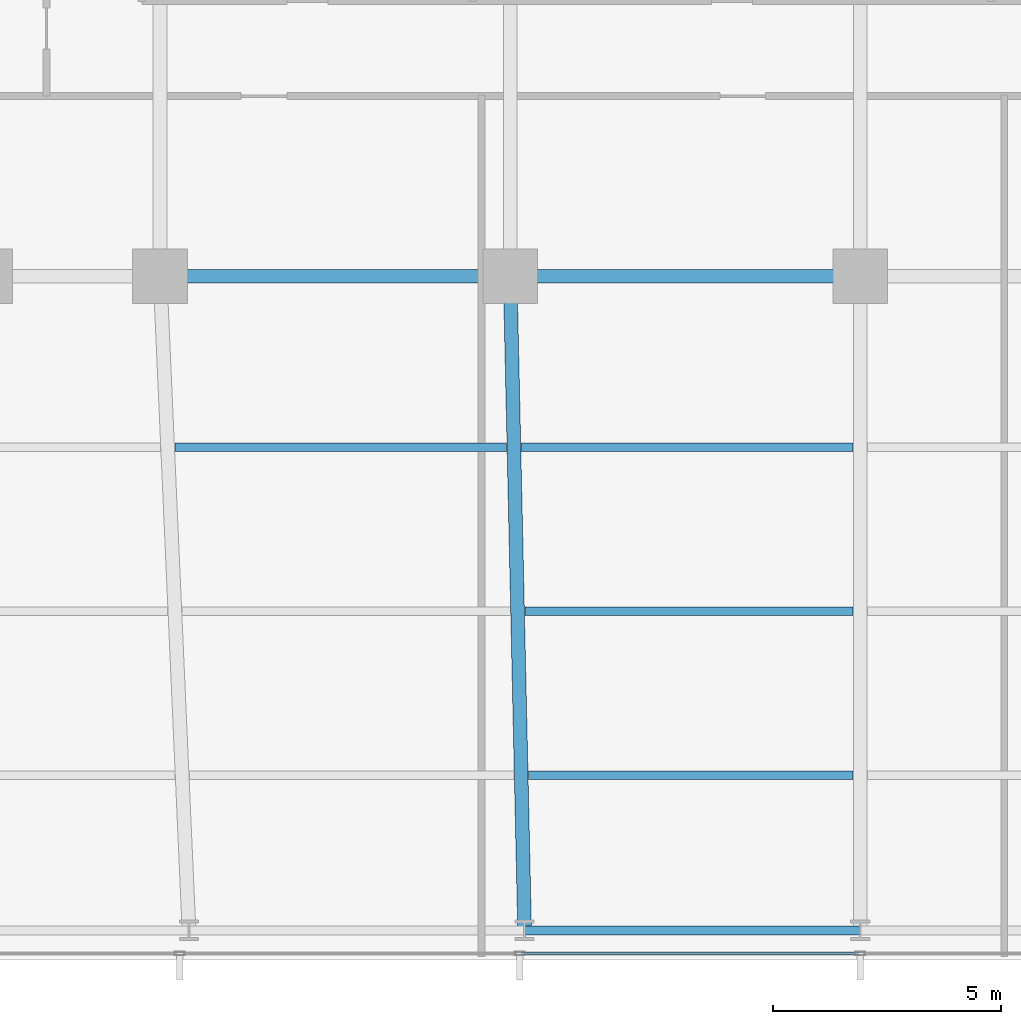
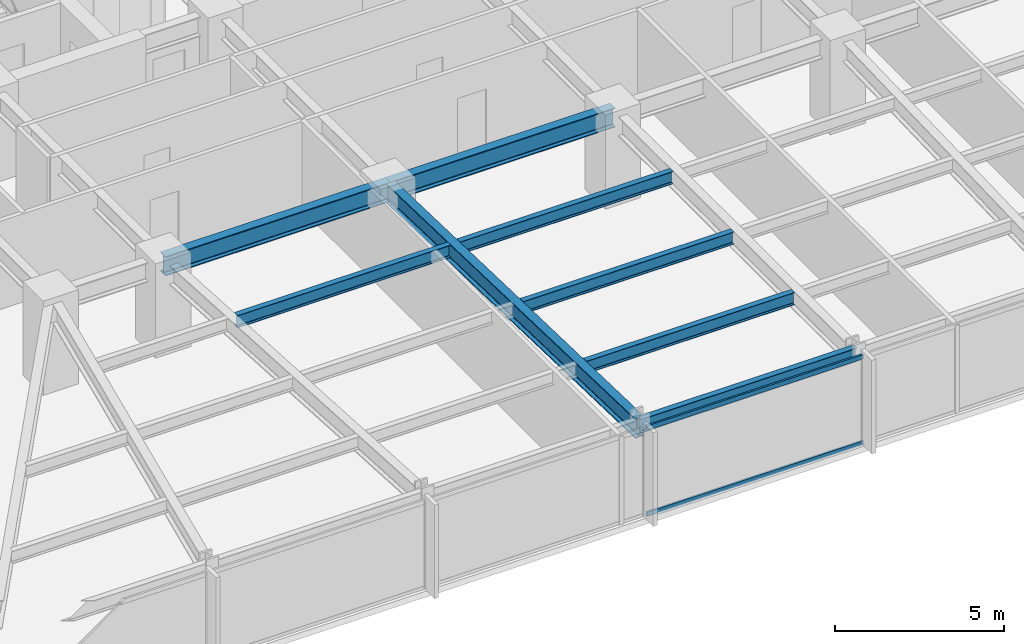
# One storey, part 6 of 33: 8 beams, 2 members, 1 element without a shape of its own.
"""IFC4 building model written with IfcOpenShell, lengths in metres."""

from ifc_helpers import new_model, si_unit, direction, frame, origin, origin_2d, place, context, subcontext, project, spatial, hollow_rectangle, i_section, extrude, material, material_profile, profile_set, type_object, element, aggregate, save


model = new_model("IFC4")

# Units and contexts
model_context = context("Model", 3, precision=1e-05, world=origin(), true_north=direction((0.0, 1.0)))
body_context = subcontext(model_context, "Body", "Model", "MODEL_VIEW")
ifc_project = project(units=[si_unit("LENGTHUNIT", "METRE"), si_unit("AREAUNIT", "SQUARE_METRE"), si_unit("VOLUMEUNIT", "CUBIC_METRE"), si_unit("PLANEANGLEUNIT", "RADIAN"), si_unit("MASSUNIT", "GRAM", prefix="KILO")], contexts=[model_context])

# Site, building, storey
site_placement = place(None, origin())
site = spatial("IfcSite", under=ifc_project, at=site_placement, CompositionType="ELEMENT")
building_placement = place(site_placement, origin())
building = spatial("IfcBuilding", under=site, at=building_placement, Name="Yelkora Congress Tower", CompositionType="ELEMENT")
storey_placement = place(building_placement, frame((0.0, 0.0, 64.39990234375)))
storey = spatial("IfcBuildingStorey", under=building, at=storey_placement, Name="L16", CompositionType="ELEMENT", Elevation=64.39990234375)

# Beams
ifc_material_1 = material(Name="Steel S355J2", Category="steel")
ifc_material_profile_1 = material_profile(ifc_material_1, i_section(OverallWidth=0.300048828125, OverallDepth=0.699951171875, WebThickness=0.01708984375, FlangeThickness=0.031982421875, FilletRadius=0.027099609375, at=origin_2d()), Name="HEB 700")
ifc_profile_set_1 = profile_set([ifc_material_profile_1], Name="Steel S355J2")
beam_type_1 = type_object("IfcBeamType", Name="BM-GIRD-HEB700", PredefinedType="BEAM", material=ifc_profile_set_1)
for number, where, z_axis, x_axis, name in (
    (1, (23.0400390625, 25.199951171875, 2.830078125), (1.0, 0.0, 0.0), (0.0, 1.0, 0.0), "L16 Spine Grid D Girder 2"),
    (2, (30.719970703125, 25.199951171875, 2.830078125), (1.0, 0.0, 0.0), (0.0, 1.0, 0.0), "L16 Spine Grid D Girder 3"),
):
    element("IfcBeam", number, at=place(storey_placement, frame(where, z_axis=z_axis, x_axis=x_axis)), inside=storey, type_object=beam_type_1, Name=name, PredefinedType="BEAM", context=body_context, shape_type="SweptSolid", body=[
        extrude(i_section(OverallWidth=0.300048828125, OverallDepth=0.699951171875, WebThickness=0.01708984375, FlangeThickness=0.031982421875, FilletRadius=0.027099609375, at=origin_2d()), origin(), (0.0, 0.0, 1.0), 7.679931640625),
    ])
beam_1_placement = place(storey_placement, frame((31.03759765625, 10.85009765625, 2.830078125), z_axis=(-0.022129088136, 0.999755121746, 0.0), x_axis=(-0.999755121746, -0.022129088136, 0.0)))
element("IfcBeam", 3, at=beam_1_placement, inside=storey, type_object=beam_type_1, Name="L16 Primary Frame Girder S04", PredefinedType="BEAM", context=body_context, shape_type="SweptSolid", body=[
    extrude(i_section(OverallWidth=0.300048828125, OverallDepth=0.699951171875, WebThickness=0.01708984375, FlangeThickness=0.031982421875, FilletRadius=0.027099609375, at=origin_2d()), origin(), (0.0, 0.0, 1.0), 14.353271484375),
])
ifc_material_profile_2 = material_profile(ifc_material_1, i_section(OverallWidth=0.18994140625, OverallDepth=0.449951171875, WebThickness=0.009521484375, FlangeThickness=0.0146484375, FilletRadius=0.02099609375, at=origin_2d()), Name="IPE 450")
ifc_profile_set_2 = profile_set([ifc_material_profile_2], Name="Steel S355J2")
beam_type_2 = type_object("IfcBeamType", Name="BM-JOIST-IPE450", PredefinedType="JOIST", material=ifc_profile_set_2)
beam_2_placement = place(storey_placement, frame((31.122314453125, 14.25, 2.955078125), z_axis=(1.0, 0.0, 0.0), x_axis=(0.0, 1.0, 0.0)))
element("IfcBeam", 4, at=beam_2_placement, inside=storey, type_object=beam_type_2, Name="L16 Composite Floor Joist 4", PredefinedType="JOIST", context=body_context, shape_type="SweptSolid", body=[
    extrude(i_section(OverallWidth=0.18994140625, OverallDepth=0.449951171875, WebThickness=0.009521484375, FlangeThickness=0.0146484375, FilletRadius=0.02099609375, at=origin_2d()), origin(), (0.0, 0.0, 1.0), 7.11767578125),
])
beam_3_placement = place(storey_placement, frame((31.04248046875, 17.85009765625, 2.955078125), z_axis=(1.0, 0.0, 0.0), x_axis=(0.0, 1.0, 0.0)))
element("IfcBeam", 5, at=beam_3_placement, inside=storey, type_object=beam_type_2, Name="L16 Composite Floor Joist 12", PredefinedType="JOIST", context=body_context, shape_type="SweptSolid", body=[
    extrude(i_section(OverallWidth=0.18994140625, OverallDepth=0.449951171875, WebThickness=0.009521484375, FlangeThickness=0.0146484375, FilletRadius=0.02099609375, at=origin_2d()), origin(), (0.0, 0.0, 1.0), 7.197509765625),
])
for number, where, z_axis, x_axis, name in (
    (6, (23.365966796875, 21.449951171875, 2.955078125), (1.0, 0.0, 0.0), (0.0, 1.0, 0.0), "L16 Composite Floor Joist 18"),
    (7, (30.962890625, 21.449951171875, 2.955078125), (1.0, 0.0, 0.0), (0.0, 1.0, 0.0), "L16 Composite Floor Joist 19"),
):
    element("IfcBeam", number, at=place(storey_placement, frame(where, z_axis=z_axis, x_axis=x_axis)), inside=storey, type_object=beam_type_2, Name=name, PredefinedType="JOIST", context=body_context, shape_type="SweptSolid", body=[
        extrude(i_section(OverallWidth=0.18994140625, OverallDepth=0.449951171875, WebThickness=0.009521484375, FlangeThickness=0.0146484375, FilletRadius=0.02099609375, at=origin_2d()), origin(), (0.0, 0.0, 1.0), 7.277099609375),
    ])
ifc_material_profile_3 = material_profile(ifc_material_1, i_section(OverallWidth=0.199951171875, OverallDepth=0.5, WebThickness=0.01025390625, FlangeThickness=0.01611328125, FilletRadius=0.02099609375, at=origin_2d()), Name="IPE 500")
ifc_profile_set_3 = profile_set([ifc_material_profile_3], Name="Steel S355J2")
beam_type_3 = type_object("IfcBeamType", Name="BM-SPAN-IPE500", PredefinedType="SPANDREL", material=ifc_profile_set_3)
beam_4_placement = place(storey_placement, frame((31.03759765625, 10.85009765625, 2.93017578125), z_axis=(1.0, 0.0, 0.0), x_axis=(0.0, 1.0, 0.0)))
element("IfcBeam", 8, at=beam_4_placement, inside=storey, type_object=beam_type_3, Name="L16 Perimeter Beam 5", PredefinedType="SPANDREL", context=body_context, shape_type="SweptSolid", body=[
    extrude(i_section(OverallWidth=0.199951171875, OverallDepth=0.5, WebThickness=0.01025390625, FlangeThickness=0.01611328125, FilletRadius=0.02099609375, at=origin_2d()), origin(), (0.0, 0.0, 1.0), 7.3623046875),
])

# Curtain wall, members
ifc_material_2 = material(Name="Anodised aluminium and insulated glass", Category="aluminium")
curtain_wall_type = type_object("IfcCurtainWallType", Name="CW-SYS-B1", PredefinedType="NOTDEFINED", material=ifc_material_2)
curtain_wall_placement = place(storey_placement, origin())
curtain_wall = element("IfcCurtainWall", 9, at=curtain_wall_placement, inside=storey, type_object=curtain_wall_type, Name="L16 Unitised Curtain Wall 20", PredefinedType="NOTDEFINED")
ifc_material_3 = material(Name="Anodised aluminium 6063-T6", Category="aluminium")
ifc_material_profile_4 = material_profile(ifc_material_3, hollow_rectangle(XDim=0.06494140625, YDim=0.159912109375, WallThickness=0.00390625, at=origin_2d()), Name="ALU 65x160x4")
ifc_profile_set_4 = profile_set([ifc_material_profile_4], Name="Anodised aluminium 6063-T6")
member_type = type_object("IfcMemberType", Name="MEM-TR-B1", PredefinedType="USERDEFINED", material=ifc_profile_set_4)
member_1_placement = place(storey_placement, frame((38.362548828125, 10.340087890625, 0.03271484375), z_axis=(-1.0, 0.0, 0.0), x_axis=(0.0, -1.0, 0.0)))
member_1 = element("IfcMember", 10, at=member_1_placement, type_object=member_type, Name="CW-B1 transom 5.1", ObjectType="TRANSOM", PredefinedType="USERDEFINED", context=body_context, shape_type="SweptSolid", body=[
    extrude(hollow_rectangle(XDim=0.06494140625, YDim=0.159912109375, WallThickness=0.00390625, at=origin_2d()), origin(), (0.0, 0.0, 1.0), 7.39013671875),
])
member_2_placement = place(storey_placement, frame((38.362548828125, 10.340087890625, 3.147705078125), z_axis=(-1.0, 0.0, 0.0), x_axis=(0.0, -1.0, 0.0)))
member_2 = element("IfcMember", 11, at=member_2_placement, type_object=member_type, Name="CW-B1 transom 5.2", ObjectType="TRANSOM", PredefinedType="USERDEFINED", context=body_context, shape_type="SweptSolid", body=[
    extrude(hollow_rectangle(XDim=0.06494140625, YDim=0.159912109375, WallThickness=0.00390625, at=origin_2d()), origin(), (0.0, 0.0, 1.0), 7.39013671875),
])
aggregate(curtain_wall, [member_1, member_2])

save(model, "model.ifc")
